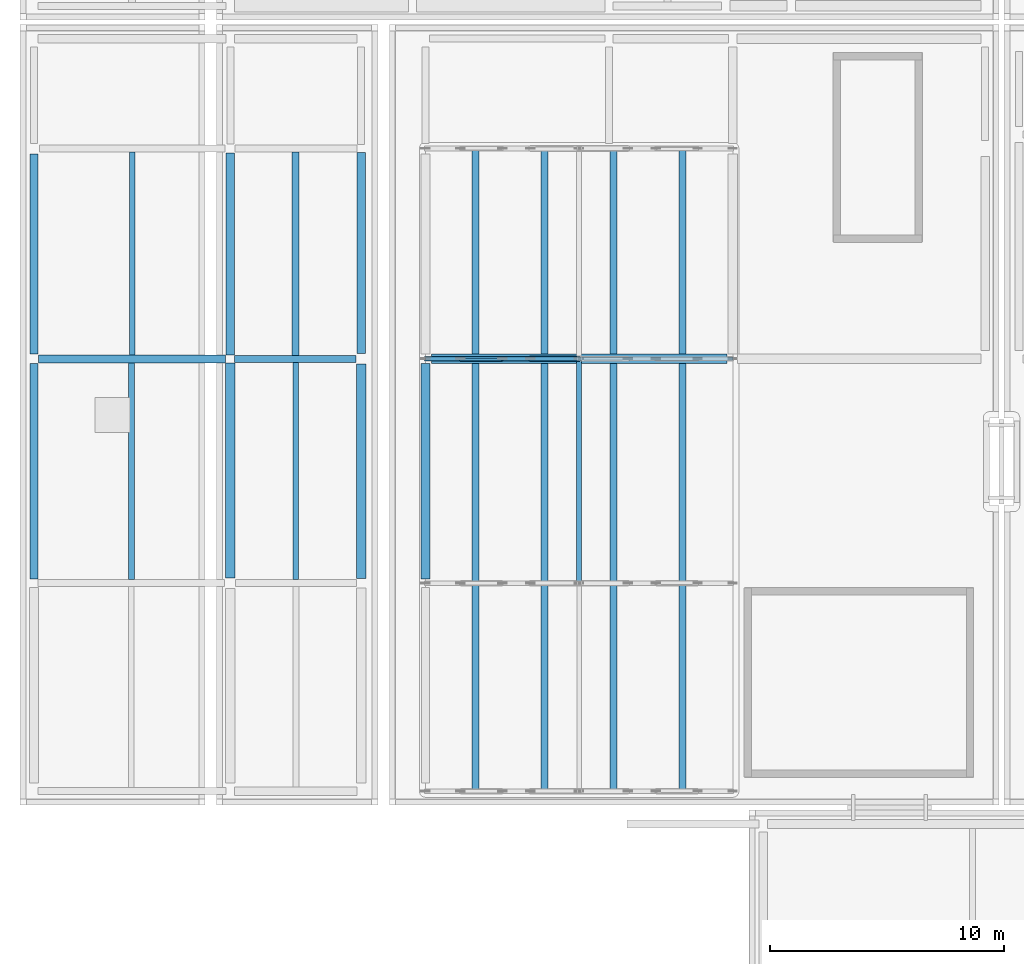
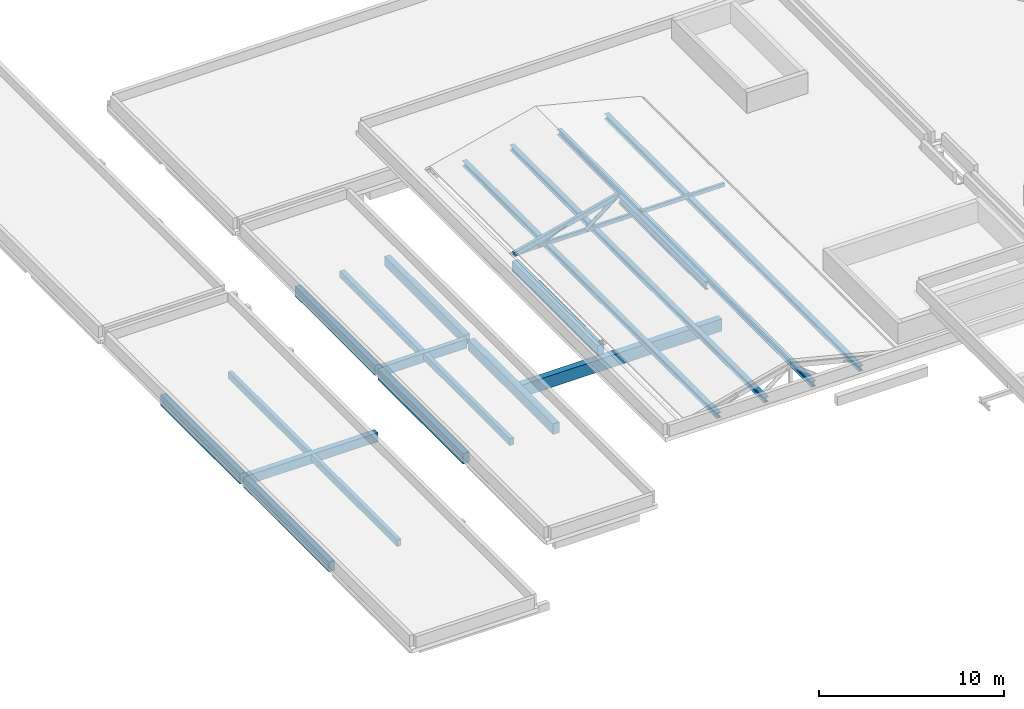
# One storey, part 3 of 40: 15 beams, 8 members.
"""IFC4 building model written with IfcOpenShell, lengths in metres."""

from ifc_helpers import new_model, si_unit, direction, frame, origin, origin_2d, place, context, subcontext, project, spatial, rectangle, hollow_rectangle, hollow_circle, i_section, extrude, material, material_profile, profile_set, type_object, element, save


model = new_model("IFC4")

# Units and contexts
model_context = context("Model", 3, precision=1e-05, world=origin(), true_north=direction((0.0, 1.0)))
body_context = subcontext(model_context, "Body", "Model", "MODEL_VIEW")
ifc_project = project(units=[si_unit("LENGTHUNIT", "METRE"), si_unit("AREAUNIT", "SQUARE_METRE"), si_unit("VOLUMEUNIT", "CUBIC_METRE"), si_unit("PLANEANGLEUNIT", "RADIAN"), si_unit("MASSUNIT", "GRAM", prefix="KILO")], contexts=[model_context])

# Site, building, storey
site_placement = place(None, origin())
site = spatial("IfcSite", under=ifc_project, at=site_placement, CompositionType="ELEMENT")
building_placement = place(site_placement, origin())
building = spatial("IfcBuilding", under=site, at=building_placement, Name="Mzevani Central Library", CompositionType="ELEMENT")
storey_placement = place(building_placement, frame((0.0, 0.0, 26.699951171875)))
storey = spatial("IfcBuildingStorey", under=building, at=storey_placement, Name="RF", CompositionType="ELEMENT", Elevation=26.699951171875)

# Member
ifc_material_1 = material(Name="Steel S355J2", Category="steel")
ifc_material_profile_1 = material_profile(ifc_material_1, hollow_rectangle(XDim=0.14990234375, YDim=0.25, WallThickness=0.010009765625, at=origin_2d()), Name="RHS 250x150x10.0")
ifc_profile_set_1 = profile_set([ifc_material_profile_1], Name="Steel S355J2")
member_type_1 = type_object("IfcMemberType", Name="Auditorium Bottom Chord RHS 250x150", PredefinedType="CHORD", material=ifc_profile_set_1)
member_1_placement = place(storey_placement, frame((21.35009765625, 61.60009765625, -12.8798828125), z_axis=(1.0, 0.0, 0.0), x_axis=(0.0, 1.0, 0.0)))
element("IfcMember", 1, at=member_1_placement, inside=storey, type_object=member_type_1, Name="RF Auditorium Truss 3 Bottom Chord", PredefinedType="CHORD", context=body_context, shape_type="SweptSolid", body=[
    extrude(hollow_rectangle(XDim=0.14990234375, YDim=0.25, WallThickness=0.010009765625, at=origin_2d()), origin(), (0.0, 0.0, 1.0), 13.14990234375),
])

# Beam
ifc_material_profile_2 = material_profile(ifc_material_1, i_section(OverallWidth=0.2099609375, OverallDepth=0.550048828125, WebThickness=0.010986328125, FlangeThickness=0.01708984375, FilletRadius=0.02392578125, at=origin_2d()), Name="IPE 550")
ifc_profile_set_2 = profile_set([ifc_material_profile_2], Name="Steel S355J2")
beam_type_1 = type_object("IfcBeamType", Name="Auditorium Roof Girder IPE 550", PredefinedType="BEAM", material=ifc_profile_set_2)
beam_1_placement = place(storey_placement, frame((27.925048828125, 52.080078125, -11.47998046875), z_axis=(0.0, 1.0, 0.0), x_axis=(-1.0, 0.0, 0.0)))
element("IfcBeam", 2, at=beam_1_placement, inside=storey, type_object=beam_type_1, Name="RF Auditorium Ridge Girder 2", PredefinedType="BEAM", context=body_context, shape_type="SweptSolid", body=[
    extrude(i_section(OverallWidth=0.2099609375, OverallDepth=0.550048828125, WebThickness=0.010986328125, FlangeThickness=0.01708984375, FilletRadius=0.02392578125, at=origin_2d()), origin(), (0.0, 0.0, 1.0), 9.43994140625),
])

# Members
ifc_material_profile_3 = material_profile(ifc_material_1, i_section(OverallWidth=0.300048828125, OverallDepth=0.35009765625, WebThickness=0.010009765625, FlangeThickness=0.017578125, FilletRadius=0.027099609375, at=origin_2d()), Name="HEA 360")
ifc_profile_set_3 = profile_set([ifc_material_profile_3], Name="Steel S355J2")
member_type_2 = type_object("IfcMemberType", Name="Auditorium Tie Chord HEA 360", PredefinedType="CHORD", material=ifc_profile_set_3)
for number, where, z_axis, x_axis, name in (
    (3, (23.5, 43.10009765625, -13.06005859375), (0.0, 1.0, 0.0), (-1.0, 0.0, 0.0), "RF Auditorium Transverse Acoustic Tie 1"),
    (4, (26.449951171875, 43.10009765625, -13.06005859375), (0.0, 1.0, 0.0), (-1.0, 0.0, 0.0), "RF Auditorium Transverse Acoustic Tie 2"),
    (5, (29.39990234375, 43.10009765625, -13.06005859375), (0.0, 1.0, 0.0), (-1.0, 0.0, 0.0), "RF Auditorium Transverse Acoustic Tie 3"),
    (6, (32.35009765625, 43.10009765625, -13.06005859375), (0.0, 1.0, 0.0), (-1.0, 0.0, 0.0), "RF Auditorium Transverse Acoustic Tie 4"),
):
    element("IfcMember", number, at=place(storey_placement, frame(where, z_axis=z_axis, x_axis=x_axis)), inside=storey, type_object=member_type_2, Name=name, PredefinedType="CHORD", context=body_context, shape_type="SweptSolid", body=[
        extrude(i_section(OverallWidth=0.300048828125, OverallDepth=0.35009765625, WebThickness=0.010009765625, FlangeThickness=0.017578125, FilletRadius=0.027099609375, at=origin_2d()), origin(), (0.0, 0.0, 1.0), 27.5),
    ])
ifc_material_profile_4 = material_profile(ifc_material_1, hollow_rectangle(XDim=0.199951171875, YDim=0.300048828125, WallThickness=0.012451171875, at=origin_2d()), Name="RHS 300x200x12.5")
ifc_profile_set_4 = profile_set([ifc_material_profile_4], Name="Steel S355J2")
member_type_3 = type_object("IfcMemberType", Name="Auditorium Top Chord RHS 300x200", PredefinedType="CHORD", material=ifc_profile_set_4)
member_2_placement = place(storey_placement, frame((21.35009765625, 61.60009765625, -12.909912109375), z_axis=(0.96992814932, 0.0, 0.243391423753), x_axis=(0.0, 1.0, 0.0)))
element("IfcMember", 7, at=member_2_placement, inside=storey, type_object=member_type_3, Name="RF Auditorium Truss 3 West Top Chord", PredefinedType="CHORD", context=body_context, shape_type="SweptSolid", body=[
    extrude(hollow_rectangle(XDim=0.199951171875, YDim=0.300048828125, WallThickness=0.012451171875, at=origin_2d()), origin(), (0.0, 0.0, 1.0), 6.77880859375),
])
ifc_material_profile_5 = material_profile(ifc_material_1, hollow_circle(Radius=0.122314453125, WallThickness=0.012451171875, at=origin_2d()), Name="CHS 244.5x12.5")
ifc_profile_set_5 = profile_set([ifc_material_profile_5], Name="Steel S355J2")
member_type_4 = type_object("IfcMemberType", Name="Auditorium Truss Strut CHS 244.5", PredefinedType="BRACE", material=ifc_profile_set_5)
member_3_placement = place(storey_placement, frame((25.83740234375, 61.60009765625, -12.8798828125), z_axis=(0.790058150896, 0.0, 0.61303190635), x_axis=(0.0, 1.0, 0.0)))
element("IfcMember", 8, at=member_3_placement, inside=storey, type_object=member_type_4, Name="RF Auditorium Truss 3 Web 2", PredefinedType="BRACE", context=body_context, shape_type="SweptSolid", body=[
    extrude(hollow_circle(Radius=0.122314453125, WallThickness=0.012451171875, at=origin_2d()), origin(), (0.0, 0.0, 1.0), 2.642333984375),
])
ifc_material_profile_6 = material_profile(ifc_material_1, hollow_circle(Radius=0.109619140625, WallThickness=0.012451171875, at=origin_2d()), Name="CHS 219.1x12.5")
ifc_profile_set_6 = profile_set([ifc_material_profile_6], Name="Steel S355J2")
member_type_5 = type_object("IfcMemberType", Name="Auditorium Truss Web CHS 219.1", PredefinedType="BRACE", material=ifc_profile_set_6)
member_4_placement = place(storey_placement, frame((22.85009765625, 61.60009765625, -12.8798828125), z_axis=(0.913708586053, 0.0, 0.406370052751), x_axis=(0.0, 1.0, 0.0)))
element("IfcMember", 9, at=member_4_placement, inside=storey, type_object=member_type_5, Name="RF Auditorium Truss 3 Web 1", PredefinedType="BRACE", context=body_context, shape_type="SweptSolid", body=[
    extrude(hollow_circle(Radius=0.109619140625, WallThickness=0.012451171875, at=origin_2d()), origin(), (0.0, 0.0, 1.0), 1.9560546875),
])

# Beams
ifc_material_2 = material(Name="Concrete C35/45", Category="concrete")
ifc_material_profile_7 = material_profile(ifc_material_2, rectangle(XDim=0.300048828125, YDim=0.60009765625, at=origin_2d()), Name="RC B300x600")
ifc_profile_set_7 = profile_set([ifc_material_profile_7], Name="Concrete C35/45")
beam_type_2 = type_object("IfcBeamType", Name="Beam RC 300x600", PredefinedType="BEAM", material=ifc_profile_set_7)
beam_2_placement = place(storey_placement, frame((13.175048828125, 61.60009765625, -17.659912109375), z_axis=(1.0, 0.0, 0.0), x_axis=(0.0, 1.0, 0.0)))
element("IfcBeam", 10, at=beam_2_placement, inside=storey, type_object=beam_type_2, Name="RF V5 Girder B-03 (986)", PredefinedType="BEAM", context=body_context, shape_type="SweptSolid", body=[
    extrude(rectangle(XDim=0.300048828125, YDim=0.60009765625, at=origin_2d()), origin(), (0.0, 0.0, 1.0), 5.199951171875),
])
ifc_material_profile_8 = material_profile(ifc_material_2, rectangle(XDim=0.35009765625, YDim=0.60009765625, at=origin_2d()), Name="RC B350x600")
ifc_profile_set_8 = profile_set([ifc_material_profile_8], Name="Concrete C35/45")
beam_type_3 = type_object("IfcBeamType", Name="Beam RC 350x600", PredefinedType="BEAM", material=ifc_profile_set_8)
beam_3_placement = place(storey_placement, frame((4.800048828125, 61.60009765625, -21.85986328125), z_axis=(1.0, 0.0, 0.0), x_axis=(0.0, 1.0, 0.0)))
element("IfcBeam", 11, at=beam_3_placement, inside=storey, type_object=beam_type_3, Name="RF V5 Girder B-04 (935)", PredefinedType="BEAM", context=body_context, shape_type="SweptSolid", body=[
    extrude(rectangle(XDim=0.35009765625, YDim=0.60009765625, at=origin_2d()), origin(), (0.0, 0.0, 1.0), 8.0),
])
ifc_material_profile_9 = material_profile(ifc_material_2, rectangle(XDim=0.35009765625, YDim=0.64990234375, at=origin_2d()), Name="RC B350x650")
ifc_profile_set_9 = profile_set([ifc_material_profile_9], Name="Concrete C35/45")
beam_type_4 = type_object("IfcBeamType", Name="Beam RC 350x650", PredefinedType="BEAM", material=ifc_profile_set_9)
beam_4_placement = place(storey_placement, frame((4.60009765625, 52.175048828125, -21.885009765625), z_axis=(0.0, 1.0, 0.0), x_axis=(-1.0, 0.0, 0.0)))
element("IfcBeam", 12, at=beam_4_placement, inside=storey, type_object=beam_type_4, Name="RF V5 Frame Beam B-05 (952)", PredefinedType="BEAM", context=body_context, shape_type="SweptSolid", body=[
    extrude(rectangle(XDim=0.35009765625, YDim=0.64990234375, at=origin_2d()), origin(), (0.0, 0.0, 1.0), 9.224853515625),
])
beam_5_placement = place(storey_placement, frame((13.0, 61.77490234375, -17.68505859375), z_axis=(0.0, 1.0, 0.0), x_axis=(-1.0, 0.0, 0.0)))
element("IfcBeam", 13, at=beam_5_placement, inside=storey, type_object=beam_type_4, Name="RF V5 Frame Beam B-05 (1000)", PredefinedType="BEAM", context=body_context, shape_type="SweptSolid", body=[
    extrude(rectangle(XDim=0.35009765625, YDim=0.64990234375, at=origin_2d()), origin(), (0.0, 0.0, 1.0), 8.625),
])
beam_6_placement = place(storey_placement, frame((18.60009765625, 61.824951171875, -17.68505859375), z_axis=(0.0, 1.0, 0.0), x_axis=(-1.0, 0.0, 0.0)))
element("IfcBeam", 14, at=beam_6_placement, inside=storey, type_object=beam_type_4, Name="RF V5 Frame Beam B-05 (1004)", PredefinedType="BEAM", context=body_context, shape_type="SweptSolid", body=[
    extrude(rectangle(XDim=0.35009765625, YDim=0.64990234375, at=origin_2d()), origin(), (0.0, 0.0, 1.0), 8.60009765625),
])
ifc_material_profile_10 = material_profile(ifc_material_2, rectangle(XDim=0.35009765625, YDim=0.699951171875, at=origin_2d()), Name="RC B350x700")
ifc_profile_set_10 = profile_set([ifc_material_profile_10], Name="Concrete C35/45")
beam_type_5 = type_object("IfcBeamType", Name="Beam RC 350x700", PredefinedType="BEAM", material=ifc_profile_set_10)
beam_7_placement = place(storey_placement, frame((4.60009765625, 61.800048828125, -21.909912109375), z_axis=(0.0, 1.0, 0.0), x_axis=(-1.0, 0.0, 0.0)))
element("IfcBeam", 15, at=beam_7_placement, inside=storey, type_object=beam_type_5, Name="RF V5 Frame Beam B-06 (953)", PredefinedType="BEAM", context=body_context, shape_type="SweptSolid", body=[
    extrude(rectangle(XDim=0.35009765625, YDim=0.699951171875, at=origin_2d()), origin(), (0.0, 0.0, 1.0), 8.574951171875),
])
ifc_material_profile_11 = material_profile(ifc_material_2, rectangle(XDim=0.39990234375, YDim=0.64990234375, at=origin_2d()), Name="RC B400x650")
ifc_profile_set_11 = profile_set([ifc_material_profile_11], Name="Concrete C35/45")
beam_type_6 = type_object("IfcBeamType", Name="Beam RC 400x650", PredefinedType="BEAM", material=ifc_profile_set_11)
beam_8_placement = place(storey_placement, frame((21.35009765625, 52.175048828125, -13.48486328125), z_axis=(0.0, 1.0, 0.0), x_axis=(-1.0, 0.0, 0.0)))
element("IfcBeam", 16, at=beam_8_placement, inside=storey, type_object=beam_type_6, Name="RF V5 Frame Beam B-07 (1026)", PredefinedType="BEAM", context=body_context, shape_type="SweptSolid", body=[
    extrude(rectangle(XDim=0.39990234375, YDim=0.64990234375, at=origin_2d()), origin(), (0.0, 0.0, 1.0), 9.224853515625),
])
ifc_material_profile_12 = material_profile(ifc_material_2, rectangle(XDim=0.39990234375, YDim=0.699951171875, at=origin_2d()), Name="RC B400x700")
ifc_profile_set_12 = profile_set([ifc_material_profile_12], Name="Concrete C35/45")
beam_type_7 = type_object("IfcBeamType", Name="Beam RC 400x700", PredefinedType="BEAM", material=ifc_profile_set_12)
beam_9_placement = place(storey_placement, frame((13.0, 52.22509765625, -17.7099609375), z_axis=(0.0, 1.0, 0.0), x_axis=(-1.0, 0.0, 0.0)))
element("IfcBeam", 17, at=beam_9_placement, inside=storey, type_object=beam_type_7, Name="RF V5 Frame Beam B-08 (999)", PredefinedType="BEAM", context=body_context, shape_type="SweptSolid", body=[
    extrude(rectangle(XDim=0.39990234375, YDim=0.699951171875, at=origin_2d()), origin(), (0.0, 0.0, 1.0), 9.199951171875),
])
beam_10_placement = place(storey_placement, frame((18.60009765625, 52.199951171875, -17.7099609375), z_axis=(0.0, 1.0, 0.0), x_axis=(-1.0, 0.0, 0.0)))
element("IfcBeam", 18, at=beam_10_placement, inside=storey, type_object=beam_type_7, Name="RF V5 Frame Beam B-08 (1003)", PredefinedType="BEAM", context=body_context, shape_type="SweptSolid", body=[
    extrude(rectangle(XDim=0.39990234375, YDim=0.699951171875, at=origin_2d()), origin(), (0.0, 0.0, 1.0), 9.175048828125),
])
ifc_material_profile_13 = material_profile(ifc_material_2, rectangle(XDim=0.39990234375, YDim=0.800048828125, at=origin_2d()), Name="RC B400x800")
ifc_profile_set_13 = profile_set([ifc_material_profile_13], Name="Concrete C35/45")
beam_type_8 = type_object("IfcBeamType", Name="Beam RC 400x800", PredefinedType="BEAM", material=ifc_profile_set_13)
beam_11_placement = place(storey_placement, frame((21.60009765625, 61.60009765625, -21.9599609375), z_axis=(1.0, 0.0, 0.0), x_axis=(0.0, 1.0, 0.0)))
element("IfcBeam", 19, at=beam_11_placement, inside=storey, type_object=beam_type_8, Name="RF V5 Girder B-10 (938)", PredefinedType="BEAM", context=body_context, shape_type="SweptSolid", body=[
    extrude(rectangle(XDim=0.39990234375, YDim=0.800048828125, at=origin_2d()), origin(), (0.0, 0.0, 1.0), 12.64990234375),
])
ifc_material_profile_14 = material_profile(ifc_material_2, rectangle(XDim=0.25, YDim=0.449951171875, at=origin_2d()), Name="RC J250x450")
ifc_profile_set_14 = profile_set([ifc_material_profile_14], Name="Concrete C35/45")
beam_type_9 = type_object("IfcBeamType", Name="Floor Joist RC 250x450", PredefinedType="JOIST", material=ifc_profile_set_14)
beam_12_placement = place(storey_placement, frame((8.77490234375, 52.14990234375, -21.784912109375), z_axis=(0.0, 1.0, 0.0), x_axis=(-1.0, 0.0, 0.0)))
element("IfcBeam", 20, at=beam_12_placement, inside=storey, type_object=beam_type_9, Name="RF V5 Floor Joist BJ-01 (975)", PredefinedType="JOIST", context=body_context, shape_type="SweptSolid", body=[
    extrude(rectangle(XDim=0.25, YDim=0.449951171875, at=origin_2d()), origin(), (0.0, 0.0, 1.0), 9.275146484375),
])
beam_13_placement = place(storey_placement, frame((8.800048828125, 61.77490234375, -21.784912109375), z_axis=(0.0, 1.0, 0.0), x_axis=(-1.0, 0.0, 0.0)))
element("IfcBeam", 21, at=beam_13_placement, inside=storey, type_object=beam_type_9, Name="RF V5 Floor Joist BJ-01 (978)", PredefinedType="JOIST", context=body_context, shape_type="SweptSolid", body=[
    extrude(rectangle(XDim=0.25, YDim=0.449951171875, at=origin_2d()), origin(), (0.0, 0.0, 1.0), 8.675048828125),
])
beam_14_placement = place(storey_placement, frame((15.800048828125, 52.14990234375, -17.5849609375), z_axis=(0.0, 1.0, 0.0), x_axis=(-1.0, 0.0, 0.0)))
element("IfcBeam", 22, at=beam_14_placement, inside=storey, type_object=beam_type_9, Name="RF V5 Floor Joist BJ-01 (1017)", PredefinedType="JOIST", context=body_context, shape_type="SweptSolid", body=[
    extrude(rectangle(XDim=0.25, YDim=0.449951171875, at=origin_2d()), origin(), (0.0, 0.0, 1.0), 9.300048828125),
])
ifc_material_profile_15 = material_profile(ifc_material_2, rectangle(XDim=0.300048828125, YDim=0.449951171875, at=origin_2d()), Name="RC J300x450")
ifc_profile_set_15 = profile_set([ifc_material_profile_15], Name="Concrete C35/45")
beam_type_10 = type_object("IfcBeamType", Name="Floor Joist RC 300x450", PredefinedType="JOIST", material=ifc_profile_set_15)
beam_15_placement = place(storey_placement, frame((15.78759765625, 61.75, -17.5849609375), z_axis=(0.0, 1.0, 0.0), x_axis=(-1.0, 0.0, 0.0)))
element("IfcBeam", 23, at=beam_15_placement, inside=storey, type_object=beam_type_10, Name="RF V5 Floor Joist BJ-03 (1019)", PredefinedType="JOIST", context=body_context, shape_type="SweptSolid", body=[
    extrude(rectangle(XDim=0.300048828125, YDim=0.449951171875, at=origin_2d()), origin(), (0.0, 0.0, 1.0), 8.699951171875),
])

save(model, "model.ifc")
